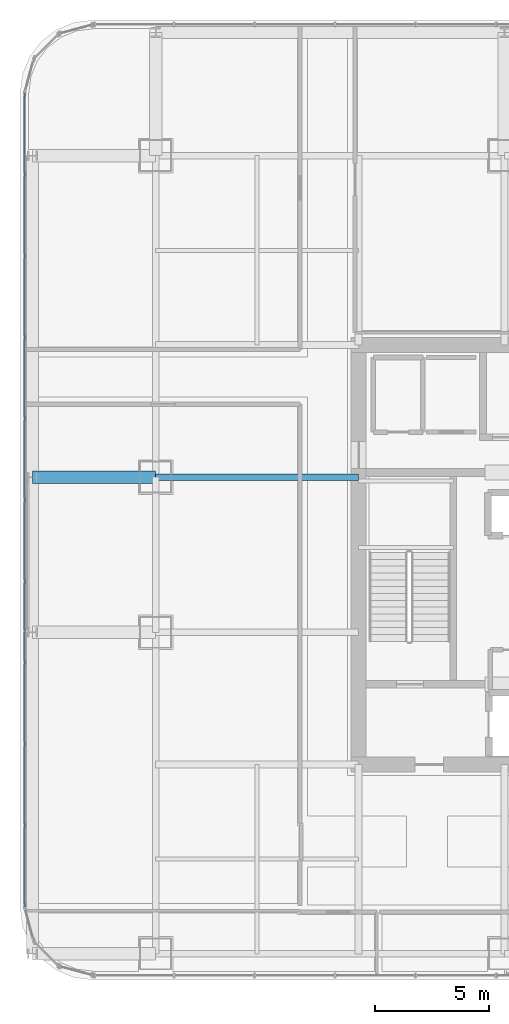
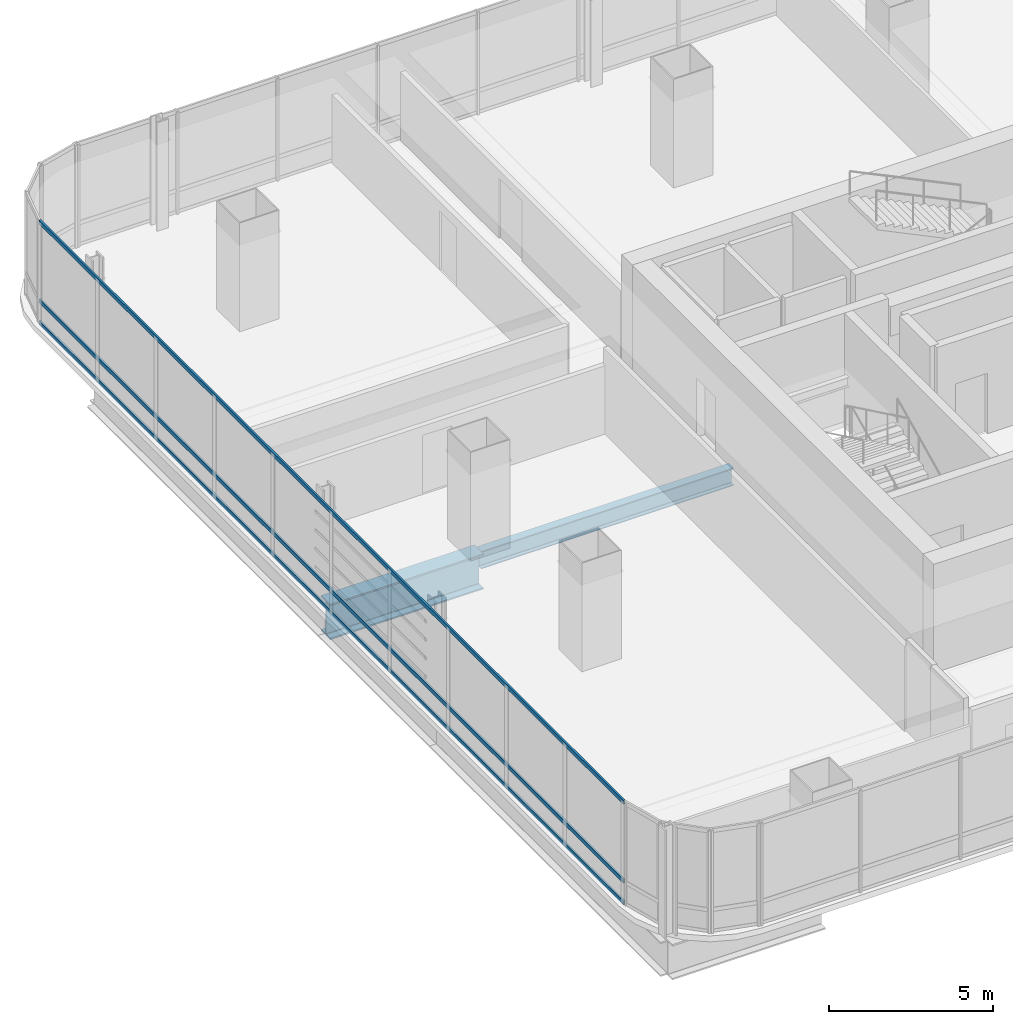
# One storey, part 11 of 38: 3 members, 2 beams, 1 element without a shape of its own.
"""IFC4 building model written with IfcOpenShell, lengths in metres."""

from ifc_helpers import new_model, si_unit, direction, frame, origin, origin_2d, place, context, subcontext, project, spatial, hollow_rectangle, i_section, extrude, material, material_profile, profile_set, type_object, element, aggregate, save


model = new_model("IFC4")

# Units and contexts
model_context = context("Model", 3, precision=1e-05, world=origin(), true_north=direction((0.0, 1.0)))
body_context = subcontext(model_context, "Body", "Model", "MODEL_VIEW")
ifc_project = project(units=[si_unit("LENGTHUNIT", "METRE"), si_unit("AREAUNIT", "SQUARE_METRE"), si_unit("VOLUMEUNIT", "CUBIC_METRE"), si_unit("PLANEANGLEUNIT", "RADIAN"), si_unit("MASSUNIT", "GRAM", prefix="KILO")], contexts=[model_context])

# Site, building, storey
site_placement = place(None, origin())
site = spatial("IfcSite", under=ifc_project, at=site_placement, CompositionType="ELEMENT")
building_placement = place(site_placement, origin())
building = spatial("IfcBuilding", under=site, at=building_placement, Name="Punatoya Terracotta Tower", CompositionType="ELEMENT")
storey_placement = place(building_placement, frame((0.0, 0.0, 160.050048828125)))
storey = spatial("IfcBuildingStorey", under=building, at=storey_placement, Name="L37", CompositionType="ELEMENT", Elevation=160.050048828125)

# Beams
ifc_material_1 = material(Name="Steel S355", Category="steel")
ifc_material_profile_1 = material_profile(ifc_material_1, i_section(OverallWidth=0.300048828125, OverallDepth=0.64990234375, WebThickness=0.01611328125, FlangeThickness=0.031005859375, FilletRadius=0.01806640625, at=origin_2d()))
ifc_profile_set_1 = profile_set([ifc_material_profile_1], Name="Steel S355")
beam_type_1 = type_object("IfcBeamType", Name="BM-PRI-650", PredefinedType="BEAM", material=ifc_profile_set_1)
beam_1_placement = place(storey_placement, frame((-19.10009765625, 3.39990234375, -0.545166015625), z_axis=(1.0, 0.0, 0.0), x_axis=(0.0, 1.0, 0.0)))
element("IfcBeam", 1, at=beam_1_placement, inside=storey, type_object=beam_type_1, Name="BM-L37-PR-WE", PredefinedType="BEAM", context=body_context, shape_type="SweptSolid", body=[
    extrude(i_section(OverallWidth=0.300048828125, OverallDepth=0.64990234375, WebThickness=0.01611328125, FlangeThickness=0.031005859375, FilletRadius=0.01806640625, at=origin_2d()), origin(), (0.0, 0.0, 1.0), 8.900146484375),
])
ifc_material_2 = material(Name="Steel S460", Category="steel")
ifc_material_profile_2 = material_profile(ifc_material_2, i_section(OverallWidth=0.56005859375, OverallDepth=1.320068359375, WebThickness=0.035888671875, FlangeThickness=0.054931640625, FilletRadius=0.01806640625, at=origin_2d()))
ifc_profile_set_2 = profile_set([ifc_material_profile_2], Name="Steel S460")
beam_type_2 = type_object("IfcBeamType", Name="BM-TG-BLK", PredefinedType="BEAM", material=ifc_profile_set_2)
beam_2_placement = place(storey_placement, frame((-24.5, 3.39990234375, -0.880126953125), z_axis=(1.0, 0.0, 0.0), x_axis=(0.0, 1.0, 0.0)))
element("IfcBeam", 2, at=beam_2_placement, inside=storey, type_object=beam_type_2, Name="BM-L37-CANT-W3", PredefinedType="BEAM", context=body_context, shape_type="SweptSolid", body=[
    extrude(i_section(OverallWidth=0.56005859375, OverallDepth=1.320068359375, WebThickness=0.035888671875, FlangeThickness=0.054931640625, FilletRadius=0.01806640625, at=origin_2d()), origin(), (0.0, 0.0, 1.0), 5.39990234375),
])

# Curtain wall, members
ifc_material_3 = material(Name="Aluminium 6063-T6 + Double Low-E Glass", Category="aluminium")
curtain_wall_type = type_object("IfcCurtainWallType", Name="CW-M2", PredefinedType="NOTDEFINED", material=ifc_material_3)
curtain_wall_placement = place(storey_placement, origin())
curtain_wall = element("IfcCurtainWall", 3, at=curtain_wall_placement, inside=storey, type_object=curtain_wall_type, Name="L37 Curtain Wall CW-L37-W13-1", PredefinedType="NOTDEFINED")
ifc_material_4 = material(Name="Aluminium 6063-T6", Category="aluminium")
ifc_material_profile_3 = material_profile(ifc_material_4, hollow_rectangle(XDim=0.068115234375, YDim=0.14990234375, WallThickness=0.00390625, at=origin_2d()))
ifc_profile_set_3 = profile_set([ifc_material_profile_3], Name="Aluminium 6063-T6")
member_type = type_object("IfcMemberType", Name="CW-TRN-TYP", PredefinedType="USERDEFINED", material=ifc_profile_set_3)
member_1_placement = place(storey_placement, frame((-24.85009765625, 20.23681640625, 0.0400390625), z_axis=(0.0, -1.0, 0.0), x_axis=(1.0, 0.0, 0.0)))
member_1 = element("IfcMember", 4, at=member_1_placement, type_object=member_type, Name="CW-L37-W13-1 Transom 1", ObjectType="TRANSOM", PredefinedType="USERDEFINED", context=body_context, shape_type="SweptSolid", body=[
    extrude(hollow_rectangle(XDim=0.068115234375, YDim=0.14990234375, WallThickness=0.00390625, at=origin_2d()), origin(), (0.0, 0.0, 1.0), 35.673828125),
])
member_2_placement = place(storey_placement, frame((-24.85009765625, 20.23681640625, 0.849853515625), z_axis=(0.0, -1.0, 0.0), x_axis=(1.0, 0.0, 0.0)))
member_2 = element("IfcMember", 5, at=member_2_placement, type_object=member_type, Name="CW-L37-W13-1 Transom 2", ObjectType="TRANSOM", PredefinedType="USERDEFINED", context=body_context, shape_type="SweptSolid", body=[
    extrude(hollow_rectangle(XDim=0.068115234375, YDim=0.14990234375, WallThickness=0.00390625, at=origin_2d()), origin(), (0.0, 0.0, 1.0), 35.673828125),
])
member_3_placement = place(storey_placement, frame((-24.85009765625, 20.23681640625, 3.7900390625), z_axis=(0.0, -1.0, 0.0), x_axis=(1.0, 0.0, 0.0)))
member_3 = element("IfcMember", 6, at=member_3_placement, type_object=member_type, Name="CW-L37-W13-1 Transom 3", ObjectType="TRANSOM", PredefinedType="USERDEFINED", context=body_context, shape_type="SweptSolid", body=[
    extrude(hollow_rectangle(XDim=0.068115234375, YDim=0.14990234375, WallThickness=0.00390625, at=origin_2d()), origin(), (0.0, 0.0, 1.0), 35.673828125),
])
aggregate(curtain_wall, [member_1, member_2, member_3])

save(model, "model.ifc")
